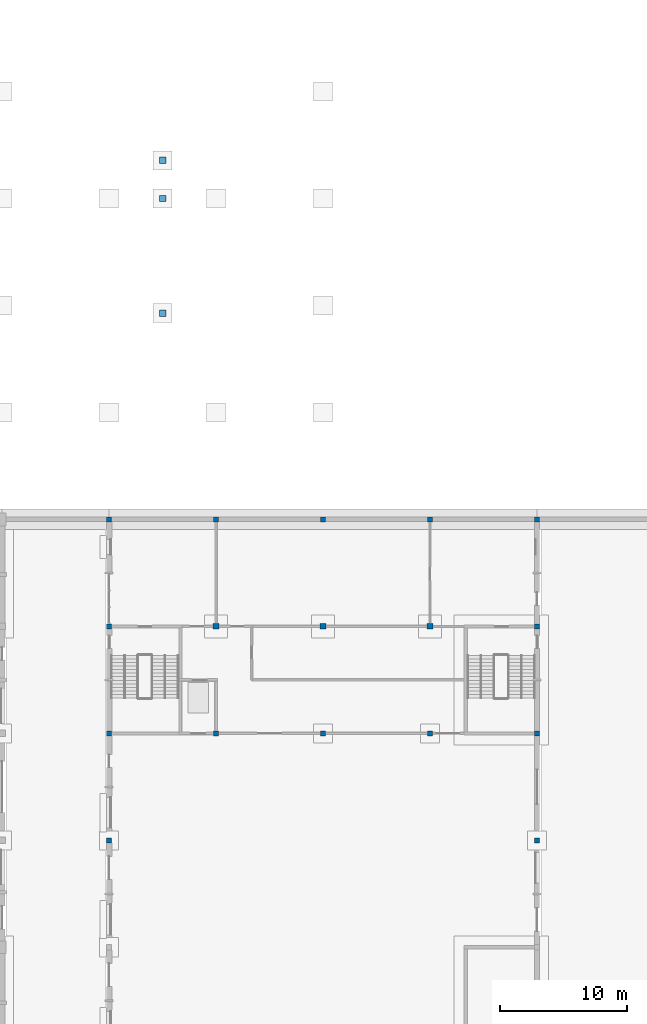
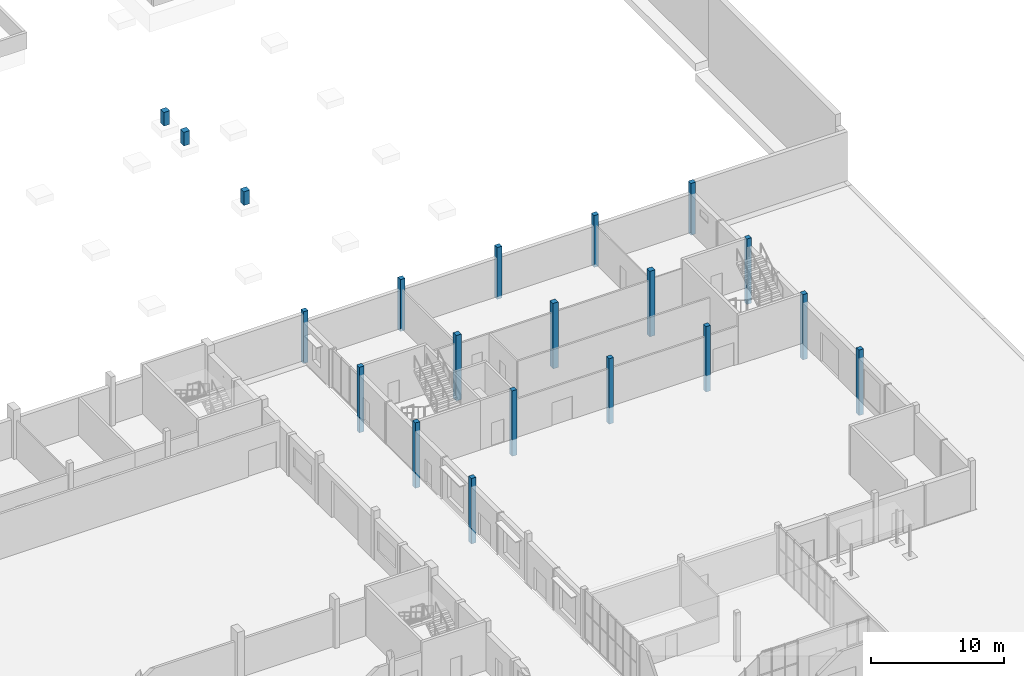
# One storey, part 9 of 36: 20 columns.
"""IFC4 building model written with IfcOpenShell, lengths in metres."""

from ifc_helpers import new_model, si_unit, direction, frame, origin, origin_2d, place, context, subcontext, project, spatial, rectangle, extrude, material, material_profile, profile_set, type_object, element, save


model = new_model("IFC4")

# Units and contexts
model_context = context("Model", 3, precision=1e-05, world=origin(), true_north=direction((0.0, 1.0)))
body_context = subcontext(model_context, "Body", "Model", "MODEL_VIEW")
ifc_project = project(units=[si_unit("LENGTHUNIT", "METRE"), si_unit("AREAUNIT", "SQUARE_METRE"), si_unit("VOLUMEUNIT", "CUBIC_METRE"), si_unit("PLANEANGLEUNIT", "RADIAN"), si_unit("MASSUNIT", "GRAM", prefix="KILO")], contexts=[model_context])

# Site, building, storey
site_placement = place(None, origin())
site = spatial("IfcSite", under=ifc_project, at=site_placement, CompositionType="ELEMENT")
building_placement = place(site_placement, origin())
building = spatial("IfcBuilding", under=site, at=building_placement, Name="Fescue Hill Polytechnic", CompositionType="ELEMENT")
storey_placement = place(building_placement, origin())
storey = spatial("IfcBuildingStorey", under=building, at=storey_placement, Name="L00", CompositionType="ELEMENT", Elevation=0.0)

# Columns
ifc_material = material(Name="Concrete 40 MPa", Category="concrete")
ifc_material_profile_1 = material_profile(ifc_material, rectangle(XDim=0.39990234375, YDim=0.39990234375, at=origin_2d()), Name="RC 400x400")
ifc_profile_set_1 = profile_set([ifc_material_profile_1], Name="Concrete 40 MPa")
column_type_1 = type_object("IfcColumnType", Name="Column RC 400x400", PredefinedType="COLUMN", material=ifc_profile_set_1)
for number, where, z_axis, x_axis, name in (
    (1, (126.0, 25.199951171875, -1.5), (0.0, 0.0, 1.0), (1.0, 0.0, 0.0), "COL-L00-V3-003"),
    (2, (126.0, 33.60009765625, -1.5), (0.0, 0.0, 1.0), (1.0, 0.0, 0.0), "COL-L00-V3-004"),
    (3, (126.0, 42.0, -1.5), (0.0, 0.0, 1.0), (1.0, 0.0, 0.0), "COL-L00-V3-005"),
):
    element("IfcColumn", number, at=place(storey_placement, frame(where, z_axis=z_axis, x_axis=x_axis)), inside=storey, type_object=column_type_1, Name=name, PredefinedType="COLUMN", context=body_context, shape_type="SweptSolid", body=[
        extrude(rectangle(XDim=0.39990234375, YDim=0.39990234375, at=origin_2d()), origin(), (0.0, 0.0, 1.0), 6.0),
    ])
column_1_placement = place(storey_placement, frame((126.0, 50.39990234375, -0.25), z_axis=(0.0, 0.0, 1.0), x_axis=(1.0, 0.0, 0.0)))
element("IfcColumn", 4, at=column_1_placement, inside=storey, type_object=column_type_1, Name="COL-L00-V3-006", PredefinedType="COLUMN", context=body_context, shape_type="SweptSolid", body=[
    extrude(rectangle(XDim=0.39990234375, YDim=0.39990234375, at=origin_2d()), origin(), (0.0, 0.0, 1.0), 4.75),
])
column_2_placement = place(storey_placement, frame((134.39990234375, 33.60009765625, -1.5), z_axis=(0.0, 0.0, 1.0), x_axis=(1.0, 0.0, 0.0)))
element("IfcColumn", 5, at=column_2_placement, inside=storey, type_object=column_type_1, Name="COL-L00-V3-008", PredefinedType="COLUMN", context=body_context, shape_type="SweptSolid", body=[
    extrude(rectangle(XDim=0.39990234375, YDim=0.39990234375, at=origin_2d()), origin(), (0.0, 0.0, 1.0), 6.0),
])
column_3_placement = place(storey_placement, frame((134.39990234375, 50.39990234375, -0.25), z_axis=(0.0, 0.0, 1.0), x_axis=(1.0, 0.0, 0.0)))
element("IfcColumn", 6, at=column_3_placement, inside=storey, type_object=column_type_1, Name="COL-L00-V3-010", PredefinedType="COLUMN", context=body_context, shape_type="SweptSolid", body=[
    extrude(rectangle(XDim=0.39990234375, YDim=0.39990234375, at=origin_2d()), origin(), (0.0, 0.0, 1.0), 4.75),
])
column_4_placement = place(storey_placement, frame((142.800048828125, 33.60009765625, -1.5), z_axis=(0.0, 0.0, 1.0), x_axis=(1.0, 0.0, 0.0)))
element("IfcColumn", 7, at=column_4_placement, inside=storey, type_object=column_type_1, Name="COL-L00-V3-012", PredefinedType="COLUMN", context=body_context, shape_type="SweptSolid", body=[
    extrude(rectangle(XDim=0.39990234375, YDim=0.39990234375, at=origin_2d()), origin(), (0.0, 0.0, 1.0), 6.0),
])
column_5_placement = place(storey_placement, frame((142.800048828125, 50.39990234375, -0.25), z_axis=(0.0, 0.0, 1.0), x_axis=(1.0, 0.0, 0.0)))
element("IfcColumn", 8, at=column_5_placement, inside=storey, type_object=column_type_1, Name="COL-L00-V3-014", PredefinedType="COLUMN", context=body_context, shape_type="SweptSolid", body=[
    extrude(rectangle(XDim=0.39990234375, YDim=0.39990234375, at=origin_2d()), origin(), (0.0, 0.0, 1.0), 4.75),
])
column_6_placement = place(storey_placement, frame((151.199951171875, 33.60009765625, -1.5), z_axis=(0.0, 0.0, 1.0), x_axis=(1.0, 0.0, 0.0)))
element("IfcColumn", 9, at=column_6_placement, inside=storey, type_object=column_type_1, Name="COL-L00-V3-016", PredefinedType="COLUMN", context=body_context, shape_type="SweptSolid", body=[
    extrude(rectangle(XDim=0.39990234375, YDim=0.39990234375, at=origin_2d()), origin(), (0.0, 0.0, 1.0), 6.0),
])
column_7_placement = place(storey_placement, frame((151.199951171875, 50.39990234375, -0.25), z_axis=(0.0, 0.0, 1.0), x_axis=(1.0, 0.0, 0.0)))
element("IfcColumn", 10, at=column_7_placement, inside=storey, type_object=column_type_1, Name="COL-L00-V3-018", PredefinedType="COLUMN", context=body_context, shape_type="SweptSolid", body=[
    extrude(rectangle(XDim=0.39990234375, YDim=0.39990234375, at=origin_2d()), origin(), (0.0, 0.0, 1.0), 4.75),
])
for number, where, z_axis, x_axis, name in (
    (11, (159.60009765625, 25.199951171875, -1.5), (0.0, 0.0, 1.0), (1.0, 0.0, 0.0), "COL-L00-V3-021"),
    (12, (159.60009765625, 33.60009765625, -1.5), (0.0, 0.0, 1.0), (1.0, 0.0, 0.0), "COL-L00-V3-022"),
    (13, (159.60009765625, 42.0, -1.5), (0.0, 0.0, 1.0), (1.0, 0.0, 0.0), "COL-L00-V3-023"),
):
    element("IfcColumn", number, at=place(storey_placement, frame(where, z_axis=z_axis, x_axis=x_axis)), inside=storey, type_object=column_type_1, Name=name, PredefinedType="COLUMN", context=body_context, shape_type="SweptSolid", body=[
        extrude(rectangle(XDim=0.39990234375, YDim=0.39990234375, at=origin_2d()), origin(), (0.0, 0.0, 1.0), 6.0),
    ])
column_8_placement = place(storey_placement, frame((159.60009765625, 50.39990234375, -0.25), z_axis=(0.0, 0.0, 1.0), x_axis=(1.0, 0.0, 0.0)))
element("IfcColumn", 14, at=column_8_placement, inside=storey, type_object=column_type_1, Name="COL-L00-V3-024", PredefinedType="COLUMN", context=body_context, shape_type="SweptSolid", body=[
    extrude(rectangle(XDim=0.39990234375, YDim=0.39990234375, at=origin_2d()), origin(), (0.0, 0.0, 1.0), 4.75),
])
ifc_material_profile_2 = material_profile(ifc_material, rectangle(XDim=0.449951171875, YDim=0.449951171875, at=origin_2d()), Name="RC 450x450")
ifc_profile_set_2 = profile_set([ifc_material_profile_2], Name="Concrete 40 MPa")
column_type_2 = type_object("IfcColumnType", Name="Column RC 450x450", PredefinedType="COLUMN", material=ifc_profile_set_2)
for number, where, z_axis, x_axis, name in (
    (15, (134.39990234375, 42.0, -1.5), (0.0, 0.0, 1.0), (1.0, 0.0, 0.0), "COL-L00-V3-009"),
    (16, (142.800048828125, 42.0, -1.5), (0.0, 0.0, 1.0), (1.0, 0.0, 0.0), "COL-L00-V3-013"),
    (17, (151.199951171875, 42.0, -1.5), (0.0, 0.0, 1.0), (1.0, 0.0, 0.0), "COL-L00-V3-017"),
):
    element("IfcColumn", number, at=place(storey_placement, frame(where, z_axis=z_axis, x_axis=x_axis)), inside=storey, type_object=column_type_2, Name=name, PredefinedType="COLUMN", context=body_context, shape_type="SweptSolid", body=[
        extrude(rectangle(XDim=0.449951171875, YDim=0.449951171875, at=origin_2d()), origin(), (0.0, 0.0, 1.0), 6.0),
    ])
ifc_material_profile_3 = material_profile(ifc_material, rectangle(XDim=0.5, YDim=0.5, at=origin_2d()), Name="RC 500x500")
ifc_profile_set_3 = profile_set([ifc_material_profile_3], Name="Concrete 40 MPa")
column_type_3 = type_object("IfcColumnType", Name="Pier RC 500x500", PredefinedType="COLUMN", material=ifc_profile_set_3)
for number, where, z_axis, x_axis, name in (
    (18, (130.199951171875, 75.60009765625, 3.0), (0.0, 0.0, 1.0), (1.0, 0.0, 0.0), "COL-L00-V2-001"),
    (19, (130.199951171875, 78.60009765625, 3.0), (0.0, 0.0, 1.0), (1.0, 0.0, 0.0), "COL-L00-V2-002"),
    (20, (130.199951171875, 66.60009765625, 3.0), (0.0, 0.0, 1.0), (1.0, 0.0, 0.0), "COL-L00-V2-003"),
):
    element("IfcColumn", number, at=place(storey_placement, frame(where, z_axis=z_axis, x_axis=x_axis)), inside=storey, type_object=column_type_3, Name=name, PredefinedType="COLUMN", context=body_context, shape_type="SweptSolid", body=[
        extrude(rectangle(XDim=0.5, YDim=0.5, at=origin_2d()), origin(), (0.0, 0.0, 1.0), 1.25),
    ])

save(model, "model.ifc")
